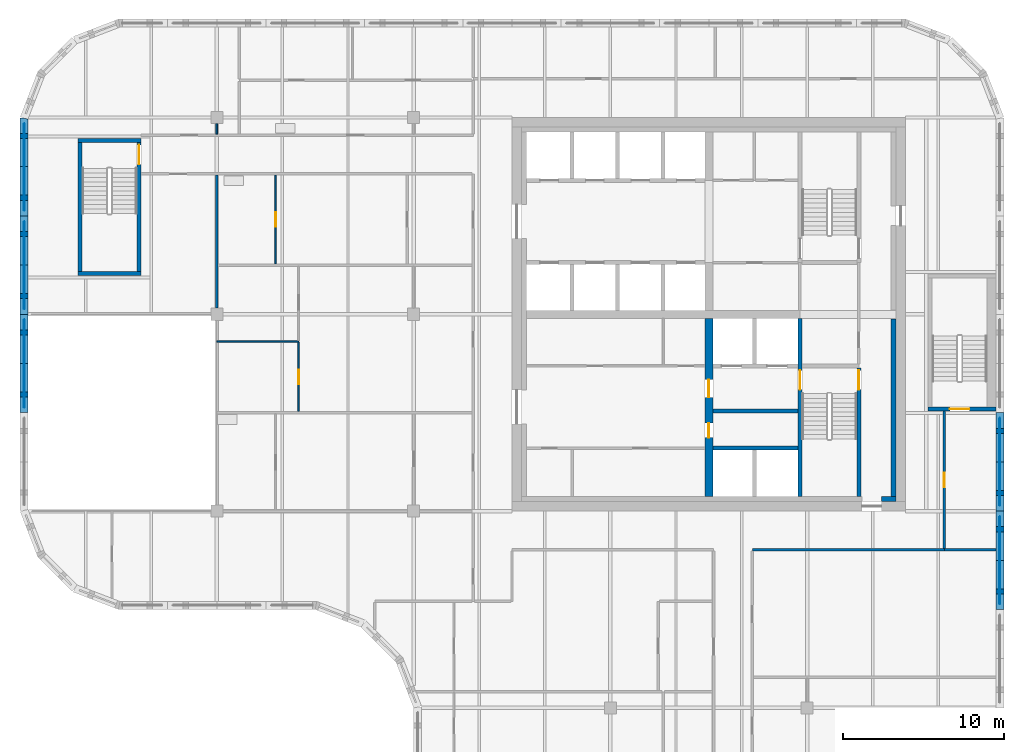
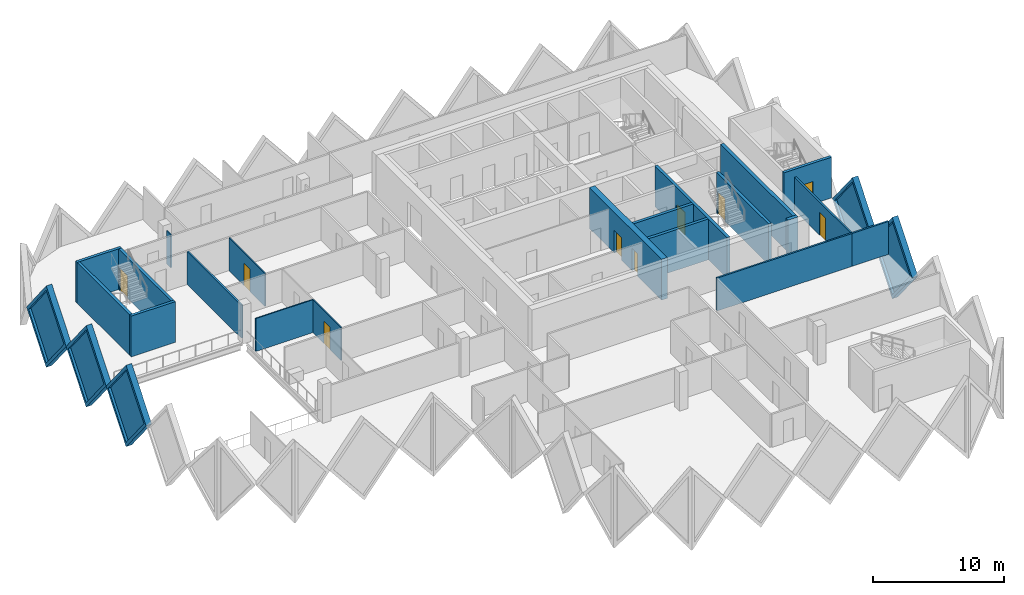
# One storey, part 6 of 12: 25 walls, 9 doors, 5 plates, 14 openings.
"""IFC4 building model written with IfcOpenShell, lengths in metres."""

from ifc_helpers import new_model, si_unit, direction, frame, frame_2d, origin, place, context, subcontext, project, spatial, polyline, rectangle, outline, extrude, faceted_brep, source, transform, mapped, material, layer, layer_set, type_object, element, fill, save


model = new_model("IFC4")

# Units and contexts
model_context = context("Model", 3, precision=1e-05, world=origin(), true_north=direction((0.0, 1.0)))
body_context = subcontext(model_context, "Body", "Model", "MODEL_VIEW")
ifc_project = project(units=[si_unit("LENGTHUNIT", "METRE"), si_unit("AREAUNIT", "SQUARE_METRE"), si_unit("VOLUMEUNIT", "CUBIC_METRE"), si_unit("PLANEANGLEUNIT", "RADIAN"), si_unit("MASSUNIT", "GRAM", prefix="KILO")], contexts=[model_context])

# Site, building, storey
site_placement = place(None, origin())
site = spatial("IfcSite", under=ifc_project, at=site_placement, CompositionType="ELEMENT")
building_placement = place(site_placement, origin())
building = spatial("IfcBuilding", under=site, at=building_placement, Name="Tessera Gate Towers", CompositionType="ELEMENT")
storey_placement = place(building_placement, frame((0.0, 0.0, 163.0)))
storey = spatial("IfcBuildingStorey", under=building, at=storey_placement, Name="L40", CompositionType="ELEMENT", Elevation=163.0)

# Wall, opening, door
ifc_material_1 = material(Name="Concrete C40/50", Category="concrete")
ifc_layer_1 = layer(ifc_material_1, 0.25)
ifc_layer_set_1 = layer_set([ifc_layer_1], Name="CORE ENCLOSURE WALL 250")
wall_type_1 = type_object("IfcWallType", Name="CORE ENCLOSURE WALL 250", PredefinedType="SOLIDWALL", material=ifc_layer_set_1)
wall_1_placement = place(storey_placement, frame((48.35009765625, 36.35009765625, 0.0), z_axis=(0.0, 0.0, 1.0), x_axis=(0.0, -1.0, 0.0)))
wall_1 = element("IfcWall", 1, at=wall_1_placement, inside=storey, type_object=wall_type_1, Name="L40 shaft and stair enclosure wall", PredefinedType="SOLIDWALL", context=body_context, shape_type="SweptSolid", body=[
    extrude(rectangle(XDim=11.050048828125, YDim=0.25, at=frame_2d((5.52490234375, 0.0))), origin(), (0.0, 0.0, 1.0), 3.800048828125),
])
shared_shape_1 = source(origin(), body_context, "Body", "SweptSolid", [
    extrude(rectangle(XDim=1.199951171875, YDim=2.10009765625, at=frame_2d((0.60009765625, 1.050048828125))), frame((0.0, 0.135009765625, 0.0), z_axis=(0.0, -1.0, 0.0), x_axis=(1.0, 0.0, 0.0)), (0.0, 0.0, 1.0), 0.27001953125),
])
opening_1_placement = place(wall_1_placement, frame((3.22509765625, 0.0, 0.0)))
opening_1 = element("IfcOpeningElement", 2, at=opening_1_placement, cuts=wall_1, Name="Opening SD-ST1-1", PredefinedType="OPENING", context=body_context, shape_type="MappedRepresentation", body=[
    mapped(shared_shape_1, transform((0.0, 0.0, 0.0), scale=1.0)),
])
ifc_material_2 = material(Name="Hollow steel fire door", Category="steel")
door_type_1 = type_object("IfcDoorType", Name="CORE DOOR SD 1200x2100", OperationType="NOTDEFINED", PredefinedType="DOOR", material=ifc_material_2)
shared_shape_2 = source(origin(), body_context, "Body", "SweptSolid", [
    extrude(rectangle(XDim=1.199951171875, YDim=2.10009765625, at=frame_2d((0.60009765625, 1.050048828125))), frame((0.0, 0.02490234375, 0.0), z_axis=(0.0, -1.0, 0.0), x_axis=(1.0, 0.0, 0.0)), (0.0, 0.0, 1.0), 0.050048828125),
])
door_1_placement = place(opening_1_placement, origin())
door_1 = element("IfcDoor", 3, at=door_1_placement, inside=storey, type_object=door_type_1, Name="Stair door", OperationType="SINGLE_SWING_LEFT", OverallHeight=2.10009765625, OverallWidth=1.199951171875, PredefinedType="DOOR", context=body_context, shape_type="MappedRepresentation", body=[
    mapped(shared_shape_2, transform((0.0, 0.0, 0.0), scale=1.0)),
])
fill(opening_1, door_1)

wall_2_placement = place(storey_placement, frame((52.0, 25.300048828125, 0.0), z_axis=(0.0, 0.0, 1.0), x_axis=(0.0, 1.0, 0.0)))
wall_2 = element("IfcWall", 4, at=wall_2_placement, inside=storey, type_object=wall_type_1, Name="L40 shaft and stair enclosure wall", PredefinedType="SOLIDWALL", context=body_context, shape_type="SweptSolid", body=[
    extrude(rectangle(XDim=7.974853515625, YDim=0.25, at=frame_2d((3.9873046875, 0.0))), origin(), (0.0, 0.0, 1.0), 3.800048828125),
])
opening_2_placement = place(wall_2_placement, frame((6.625, 0.0, 0.0)))
opening_2 = element("IfcOpeningElement", 5, at=opening_2_placement, cuts=wall_2, Name="Opening SD-ST1-2", PredefinedType="OPENING", context=body_context, shape_type="MappedRepresentation", body=[
    mapped(shared_shape_1, transform((0.0, 0.0, 0.0), scale=1.0)),
])
door_2_placement = place(opening_2_placement, origin())
door_2 = element("IfcDoor", 6, at=door_2_placement, inside=storey, type_object=door_type_1, Name="Stair door", OperationType="SINGLE_SWING_RIGHT", OverallHeight=2.10009765625, OverallWidth=1.199951171875, PredefinedType="DOOR", context=body_context, shape_type="MappedRepresentation", body=[
    mapped(shared_shape_2, transform((0.0, 0.0, 0.0), scale=1.0)),
])
fill(opening_2, door_2)

# Walls
for number, where, z_axis, x_axis, name in (
    (7, (42.949951171875, 28.300048828125, 0.0), (0.0, 0.0, 1.0), (1.0, 0.0, 0.0), "L40 shaft and stair enclosure wall"),
    (8, (42.949951171875, 30.60009765625, 0.0), (0.0, 0.0, 1.0), (1.0, 0.0, 0.0), "L40 shaft and stair enclosure wall"),
):
    element("IfcWall", number, at=place(storey_placement, frame(where, z_axis=z_axis, x_axis=x_axis)), inside=storey, type_object=wall_type_1, Name=name, PredefinedType="SOLIDWALL", context=body_context, shape_type="SweptSolid", body=[
        extrude(rectangle(XDim=5.275146484375, YDim=0.25, at=frame_2d((2.6376953125, 0.0))), origin(), (0.0, 0.0, 1.0), 3.800048828125),
    ])
wall_3_placement = place(storey_placement, frame((7.5, 39.125, 0.0), z_axis=(0.0, 0.0, 1.0), x_axis=(-1.0, 0.0, 0.0)))
element("IfcWall", 9, at=wall_3_placement, inside=storey, type_object=wall_type_1, Name="L40 ST3 enclosure wall", PredefinedType="SOLIDWALL", context=body_context, shape_type="SweptSolid", body=[
    extrude(rectangle(XDim=3.89990234375, YDim=0.25, at=frame_2d((1.949951171875, 0.0))), origin(), (0.0, 0.0, 1.0), 3.800048828125),
])
wall_4_placement = place(storey_placement, frame((3.72509765625, 39.25, 0.0), z_axis=(0.0, 0.0, 1.0), x_axis=(0.0, 1.0, 0.0)))
element("IfcWall", 10, at=wall_4_placement, inside=storey, type_object=wall_type_1, Name="L40 ST3 enclosure wall", PredefinedType="SOLIDWALL", context=body_context, shape_type="SweptSolid", body=[
    extrude(rectangle(XDim=8.0, YDim=0.25, at=frame_2d((4.0, 0.0))), origin(), (0.0, 0.0, 1.0), 3.800048828125),
])
wall_5_placement = place(storey_placement, frame((3.60009765625, 47.375, 0.0), z_axis=(0.0, 0.0, 1.0), x_axis=(1.0, 0.0, 0.0)))
element("IfcWall", 11, at=wall_5_placement, inside=storey, type_object=wall_type_1, Name="L40 ST3 enclosure wall", PredefinedType="SOLIDWALL", context=body_context, shape_type="SweptSolid", body=[
    extrude(rectangle(XDim=3.89990234375, YDim=0.25, at=frame_2d((1.949951171875, 0.0))), origin(), (0.0, 0.0, 1.0), 3.800048828125),
])

# Wall, opening, door
wall_6_placement = place(storey_placement, frame((7.375, 47.25, 0.0), z_axis=(0.0, 0.0, 1.0), x_axis=(0.0, -1.0, 0.0)))
wall_6 = element("IfcWall", 12, at=wall_6_placement, inside=storey, type_object=wall_type_1, Name="L40 ST3 enclosure wall", PredefinedType="SOLIDWALL", context=body_context, shape_type="SweptSolid", body=[
    extrude(rectangle(XDim=8.0, YDim=0.25, at=frame_2d((4.0, 0.0))), origin(), (0.0, 0.0, 1.0), 3.800048828125),
])
opening_3_placement = place(wall_6_placement, frame((0.14990234375, 0.0, 0.0)))
opening_3 = element("IfcOpeningElement", 13, at=opening_3_placement, cuts=wall_6, Name="Opening SD-ST3-1", PredefinedType="OPENING", context=body_context, shape_type="MappedRepresentation", body=[
    mapped(shared_shape_1, transform((0.0, 0.0, 0.0), scale=1.0)),
])
door_3_placement = place(opening_3_placement, origin())
door_3 = element("IfcDoor", 14, at=door_3_placement, inside=storey, type_object=door_type_1, Name="Stair door", OperationType="SINGLE_SWING_LEFT", OverallHeight=2.10009765625, OverallWidth=1.199951171875, PredefinedType="DOOR", context=body_context, shape_type="MappedRepresentation", body=[
    mapped(shared_shape_2, transform((0.0, 0.0, 0.0), scale=1.0)),
])
fill(opening_3, door_3)

wall_7_placement = place(storey_placement, frame((60.5, 30.72509765625, 0.0), z_axis=(0.0, 0.0, 1.0), x_axis=(-1.0, 0.0, 0.0)))
wall_7 = element("IfcWall", 15, at=wall_7_placement, inside=storey, type_object=wall_type_1, Name="L40 ST5 enclosure wall", PredefinedType="SOLIDWALL", context=body_context, shape_type="SweptSolid", body=[
    extrude(rectangle(XDim=4.199951171875, YDim=0.25, at=frame_2d((2.10009765625, 0.0))), origin(), (0.0, 0.0, 1.0), 3.800048828125),
])
opening_4_placement = place(wall_7_placement, frame((1.64990234375, 0.0, 0.0)))
opening_4 = element("IfcOpeningElement", 16, at=opening_4_placement, cuts=wall_7, Name="Opening SD-ST5-1", PredefinedType="OPENING", context=body_context, shape_type="MappedRepresentation", body=[
    mapped(shared_shape_1, transform((0.0, 0.0, 0.0), scale=1.0)),
])
door_4_placement = place(opening_4_placement, origin())
door_4 = element("IfcDoor", 17, at=door_4_placement, inside=storey, type_object=door_type_1, Name="Stair door", OperationType="SINGLE_SWING_RIGHT", OverallHeight=2.10009765625, OverallWidth=1.199951171875, PredefinedType="DOOR", context=body_context, shape_type="MappedRepresentation", body=[
    mapped(shared_shape_2, transform((0.0, 0.0, 0.0), scale=1.0)),
])
fill(opening_4, door_4)

# Wall, openings, doors
ifc_material_3 = material(Name="Concrete C50/60", Category="concrete")
ifc_layer_2 = layer(ifc_material_3, 0.5)
ifc_layer_set_2 = layer_set([ifc_layer_2], Name="CORE SPINE WALL 500 C50/60")
wall_type_2 = type_object("IfcWallType", Name="CORE SPINE WALL 500 C50/60", PredefinedType="SHEAR", material=ifc_layer_set_2)
wall_8_placement = place(storey_placement, frame((42.699951171875, 36.35009765625, 0.0), z_axis=(0.0, 0.0, 1.0), x_axis=(0.0, -1.0, 0.0)))
wall_8 = element("IfcWall", 18, at=wall_8_placement, inside=storey, type_object=wall_type_2, Name="Core wall spine L40", PredefinedType="SHEAR", context=body_context, shape_type="SweptSolid", body=[
    extrude(rectangle(XDim=11.050048828125, YDim=0.5, at=frame_2d((5.52490234375, 0.0))), origin(), (0.0, 0.0, 1.0), 3.800048828125),
])
shared_shape_3 = source(origin(), body_context, "Body", "SweptSolid", [
    extrude(rectangle(XDim=0.89990234375, YDim=2.10009765625, at=frame_2d((0.449951171875, 1.050048828125))), frame((0.0, 0.260009765625, 0.0), z_axis=(0.0, -1.0, 0.0), x_axis=(1.0, 0.0, 0.0)), (0.0, 0.0, 1.0), 0.52001953125),
])
opening_5_placement = place(wall_8_placement, frame((6.5, 0.0, 0.0)))
opening_5 = element("IfcOpeningElement", 19, at=opening_5_placement, cuts=wall_8, Name="Opening RD-T1-26-05", PredefinedType="OPENING", context=body_context, shape_type="MappedRepresentation", body=[
    mapped(shared_shape_3, transform((0.0, 0.0, 0.0), scale=1.0)),
])
shared_shape_4 = source(origin(), body_context, "Body", "SweptSolid", [
    extrude(rectangle(XDim=1.10009765625, YDim=2.10009765625, at=frame_2d((0.550048828125, 1.050048828125))), frame((0.0, 0.260009765625, 0.0), z_axis=(0.0, -1.0, 0.0), x_axis=(1.0, 0.0, 0.0)), (0.0, 0.0, 1.0), 0.52001953125),
])
opening_6_placement = place(wall_8_placement, frame((3.800048828125, 0.0, 0.0)))
opening_6 = element("IfcOpeningElement", 20, at=opening_6_placement, cuts=wall_8, Name="Opening FD-T1-26-06", PredefinedType="OPENING", context=body_context, shape_type="MappedRepresentation", body=[
    mapped(shared_shape_4, transform((0.0, 0.0, 0.0), scale=1.0)),
])
ifc_material_4 = material(Name="Hollow steel fire door", Category="steel")
door_type_2 = type_object("IfcDoorType", Name="CORE DOOR RD 900x2100", OperationType="NOTDEFINED", PredefinedType="DOOR", material=ifc_material_4)
shared_shape_5 = source(origin(), body_context, "Body", "SweptSolid", [
    extrude(rectangle(XDim=0.89990234375, YDim=2.10009765625, at=frame_2d((0.449951171875, 1.050048828125))), frame((0.0, 0.02490234375, 0.0), z_axis=(0.0, -1.0, 0.0), x_axis=(1.0, 0.0, 0.0)), (0.0, 0.0, 1.0), 0.050048828125),
])
door_5_placement = place(opening_5_placement, origin())
door_5 = element("IfcDoor", 21, at=door_5_placement, inside=storey, type_object=door_type_2, Name="Core room door", OperationType="SINGLE_SWING_RIGHT", OverallHeight=2.10009765625, OverallWidth=0.89990234375, PredefinedType="DOOR", context=body_context, shape_type="MappedRepresentation", body=[
    mapped(shared_shape_5, transform((0.0, 0.0, 0.0), scale=1.0)),
])
fill(opening_5, door_5)
ifc_material_5 = material(Name="Hollow steel fire door", Category="steel")
door_type_3 = type_object("IfcDoorType", Name="CORE DOOR FD 1100x2100", OperationType="NOTDEFINED", PredefinedType="DOOR", material=ifc_material_5)
shared_shape_6 = source(origin(), body_context, "Body", "SweptSolid", [
    extrude(rectangle(XDim=1.10009765625, YDim=2.10009765625, at=frame_2d((0.550048828125, 1.050048828125))), frame((0.0, 0.02490234375, 0.0), z_axis=(0.0, -1.0, 0.0), x_axis=(1.0, 0.0, 0.0)), (0.0, 0.0, 1.0), 0.050048828125),
])
door_6_placement = place(opening_6_placement, origin())
door_6 = element("IfcDoor", 22, at=door_6_placement, inside=storey, type_object=door_type_3, Name="Fire-fighting lobby door", OperationType="SINGLE_SWING_LEFT", OverallHeight=2.10009765625, OverallWidth=1.10009765625, PredefinedType="DOOR", context=body_context, shape_type="MappedRepresentation", body=[
    mapped(shared_shape_6, transform((0.0, 0.0, 0.0), scale=1.0)),
])
fill(opening_6, door_6)

# Walls
ifc_material_6 = material(Name="Concrete C50/60", Category="concrete")
ifc_layer_3 = layer(ifc_material_6, 0.300048828125)
ifc_layer_set_3 = layer_set([ifc_layer_3], Name="CORE WALL THICKENING 300")
wall_type_3 = type_object("IfcWallType", Name="CORE WALL THICKENING 300", PredefinedType="SOLIDWALL", material=ifc_layer_set_3)
wall_9_placement = place(storey_placement, frame((53.39990234375, 25.14990234375, 0.0), z_axis=(0.0, 0.0, 1.0), x_axis=(1.0, 0.0, 0.0)))
element("IfcWall", 23, at=wall_9_placement, inside=storey, type_object=wall_type_3, Name="Core wall thickening S L40", PredefinedType="SOLIDWALL", context=body_context, shape_type="SweptSolid", body=[
    extrude(rectangle(XDim=0.900146484375, YDim=0.300048828125, at=frame_2d((0.4501953125, 0.0))), origin(), (0.0, 0.0, 1.0), 3.800048828125),
])
wall_10_placement = place(storey_placement, frame((54.14990234375, 25.300048828125, 0.0), z_axis=(0.0, 0.0, 1.0), x_axis=(0.0, 1.0, 0.0)))
element("IfcWall", 24, at=wall_10_placement, inside=storey, type_object=wall_type_3, Name="Core wall thickening E L40", PredefinedType="SOLIDWALL", context=body_context, shape_type="SweptSolid", body=[
    extrude(rectangle(XDim=11.02001953125, YDim=0.300048828125, at=frame_2d((5.510009765625, 0.0))), origin(), (0.0, 0.0, 1.0), 3.800048828125),
])
ifc_material_7 = material(Name="Gypsum board on steel studs, mineral wool", Category="steel")
ifc_layer_4 = layer(ifc_material_7, 0.14990234375)
ifc_layer_set_4 = layer_set([ifc_layer_4], Name="CORRIDOR WALL 150")
wall_type_4 = type_object("IfcWallType", Name="CORRIDOR WALL 150", PredefinedType="PARTITIONING", material=ifc_layer_set_4)
wall_11_placement = place(storey_placement, frame((45.39990234375, 22.0, 0.0), z_axis=(0.0, 0.0, 1.0), x_axis=(1.0, 0.0, 0.0)))
element("IfcWall", 25, at=wall_11_placement, inside=storey, type_object=wall_type_4, Name="T1-L40-PW-023", PredefinedType="PARTITIONING", context=body_context, shape_type="SweptSolid", body=[
    extrude(rectangle(XDim=11.900146484375, YDim=0.14990234375, at=frame_2d((5.9501953125, 0.0))), origin(), (0.0, 0.0, 1.0), 3.06689453125),
])

# Wall, opening, door
wall_12_placement = place(storey_placement, frame((57.300048828125, 30.60009765625, 0.0), z_axis=(0.0, 0.0, 1.0), x_axis=(0.0, -1.0, 0.0)))
wall_12 = element("IfcWall", 26, at=wall_12_placement, inside=storey, type_object=wall_type_4, Name="T1-L40-PW-025", PredefinedType="PARTITIONING", context=body_context, shape_type="SweptSolid", body=[
    extrude(rectangle(XDim=8.524169921875, YDim=0.14990234375, at=frame_2d((4.26220703125, 0.0))), origin(), (0.0, 0.0, 1.0), 3.06689453125),
])
shared_shape_7 = source(origin(), body_context, "Body", "SweptSolid", [
    extrude(rectangle(XDim=0.89990234375, YDim=2.10009765625, at=frame_2d((0.449951171875, 1.050048828125))), frame((0.0, 0.0849609375, 0.0), z_axis=(0.0, -1.0, 0.0), x_axis=(1.0, 0.0, 0.0)), (0.0, 0.0, 1.0), 0.169921875),
])
opening_7_placement = place(wall_12_placement, frame((3.823974609375, 0.0, 0.0)))
opening_7 = element("IfcOpeningElement", 27, at=opening_7_placement, cuts=wall_12, Name="Opening D890FD60-A14-02", PredefinedType="OPENING", context=body_context, shape_type="MappedRepresentation", body=[
    mapped(shared_shape_7, transform((0.0, 0.0, 0.0), scale=1.0)),
])
ifc_material_8 = material(Name="Timber door leaf in steel frame", Category="steel")
door_type_4 = type_object("IfcDoorType", Name="CORRIDOR DOOR 900 FD60", OperationType="NOTDEFINED", PredefinedType="DOOR", material=ifc_material_8)
door_7_placement = place(opening_7_placement, origin())
door_7 = element("IfcDoor", 28, at=door_7_placement, inside=storey, type_object=door_type_4, Name="T1-L40-PD-021", OperationType="SINGLE_SWING_RIGHT", OverallHeight=2.10009765625, OverallWidth=0.89990234375, PredefinedType="DOOR", context=body_context, shape_type="MappedRepresentation", body=[
    mapped(shared_shape_5, transform((0.0, 0.0, 0.0), scale=1.0)),
])
fill(opening_7, door_7)

ifc_material_9 = material(Name="Gypsum board on steel studs", Category="steel")
ifc_layer_5 = layer(ifc_material_9, 0.10009765625)
ifc_layer_set_5 = layer_set([ifc_layer_5], Name="PARTITION 100")
wall_type_5 = type_object("IfcWallType", Name="PARTITION 100", PredefinedType="PARTITIONING", material=ifc_layer_set_5)
wall_13_placement = place(storey_placement, frame((17.27490234375, 30.575927734375, 0.0), z_axis=(0.0, 0.0, 1.0), x_axis=(0.0, 1.0, 0.0)))
wall_13 = element("IfcWall", 29, at=wall_13_placement, inside=storey, type_object=wall_type_5, Name="T1-L40-PW-031", PredefinedType="PARTITIONING", context=body_context, shape_type="SweptSolid", body=[
    extrude(rectangle(XDim=4.29345703125, YDim=0.10009765625, at=frame_2d((2.146728515625, 0.0))), origin(), (0.0, 0.0, 1.0), 3.06689453125),
])
shared_shape_8 = source(origin(), body_context, "Body", "SweptSolid", [
    extrude(rectangle(XDim=0.89990234375, YDim=2.10009765625, at=frame_2d((0.449951171875, 1.050048828125))), frame((0.0, 0.06005859375, 0.0), z_axis=(0.0, -1.0, 0.0), x_axis=(1.0, 0.0, 0.0)), (0.0, 0.0, 1.0), 0.1201171875),
])
opening_8_placement = place(wall_13_placement, frame((1.699951171875, 0.0, 0.0)))
opening_8 = element("IfcOpeningElement", 30, at=opening_8_placement, cuts=wall_13, Name="Opening D190-A14-02", PredefinedType="OPENING", context=body_context, shape_type="MappedRepresentation", body=[
    mapped(shared_shape_8, transform((0.0, 0.0, 0.0), scale=1.0)),
])
ifc_material_10 = material(Name="Timber door leaf in steel frame", Category="steel")
door_type_5 = type_object("IfcDoorType", Name="INTERNAL DOOR 900 NOT RATED", OperationType="NOTDEFINED", PredefinedType="DOOR", material=ifc_material_10)
door_8_placement = place(opening_8_placement, origin())
door_8 = element("IfcDoor", 31, at=door_8_placement, inside=storey, type_object=door_type_5, Name="T1-L40-PD-003", OperationType="SINGLE_SWING_LEFT", OverallHeight=2.10009765625, OverallWidth=0.89990234375, PredefinedType="DOOR", context=body_context, shape_type="MappedRepresentation", body=[
    mapped(shared_shape_5, transform((0.0, 0.0, 0.0), scale=1.0)),
])
fill(opening_8, door_8)

# Wall
wall_14_placement = place(storey_placement, frame((12.199951171875, 34.919921875, 0.0), z_axis=(0.0, 0.0, 1.0), x_axis=(1.0, 0.0, 0.0)))
element("IfcWall", 32, at=wall_14_placement, inside=storey, type_object=wall_type_5, Name="T1-L40-PW-032", PredefinedType="PARTITIONING", context=body_context, shape_type="SweptSolid", body=[
    extrude(rectangle(XDim=5.074951171875, YDim=0.10009765625, at=frame_2d((2.53759765625, 0.0))), origin(), (0.0, 0.0, 1.0), 3.06689453125),
])

# Wall, opening, door
wall_15_placement = place(storey_placement, frame((15.85009765625, 39.72607421875, 0.0), z_axis=(0.0, 0.0, 1.0), x_axis=(0.0, 1.0, 0.0)))
wall_15 = element("IfcWall", 33, at=wall_15_placement, inside=storey, type_object=wall_type_5, Name="T1-L40-PW-037", PredefinedType="PARTITIONING", context=body_context, shape_type="SweptSolid", body=[
    extrude(rectangle(XDim=5.498046875, YDim=0.10009765625, at=frame_2d((2.7490234375, 0.0))), origin(), (0.0, 0.0, 1.0), 3.06689453125),
])
opening_9_placement = place(wall_15_placement, frame((2.300048828125, 0.0, 0.0)))
opening_9 = element("IfcOpeningElement", 34, at=opening_9_placement, cuts=wall_15, Name="Opening D190-A14-06", PredefinedType="OPENING", context=body_context, shape_type="MappedRepresentation", body=[
    mapped(shared_shape_8, transform((0.0, 0.0, 0.0), scale=1.0)),
])
door_9_placement = place(opening_9_placement, origin())
door_9 = element("IfcDoor", 35, at=door_9_placement, inside=storey, type_object=door_type_5, Name="T1-L40-PD-009", OperationType="SINGLE_SWING_LEFT", OverallHeight=2.10009765625, OverallWidth=0.89990234375, PredefinedType="DOOR", context=body_context, shape_type="MappedRepresentation", body=[
    mapped(shared_shape_5, transform((0.0, 0.0, 0.0), scale=1.0)),
])
fill(opening_9, door_9)

# Walls
wall_16_placement = place(storey_placement, frame((12.199951171875, 48.425048828125, 0.0), z_axis=(0.0, 0.0, 1.0), x_axis=(0.0, -1.0, 0.0)))
element("IfcWall", 36, at=wall_16_placement, inside=storey, type_object=wall_type_5, Name="T1-L40-PW-043", PredefinedType="PARTITIONING", context=body_context, shape_type="SweptSolid", body=[
    extrude(rectangle(XDim=0.650146484375, YDim=0.10009765625, at=frame_2d((0.3251953125, 0.0))), origin(), (0.0, 0.0, 1.0), 3.06689453125),
])
ifc_material_11 = material(Name="Gypsum board on steel studs, mineral wool", Category="steel")
ifc_layer_6 = layer(ifc_material_11, 0.14990234375)
ifc_layer_set_6 = layer_set([ifc_layer_6], Name="TENANCY WALL 150")
wall_type_6 = type_object("IfcWallType", Name="TENANCY WALL 150", PredefinedType="PARTITIONING", material=ifc_layer_set_6)
wall_17_placement = place(storey_placement, frame((57.301025390625, 22.0, 0.0), z_axis=(0.0, 0.0, 1.0), x_axis=(1.0, 0.0, 0.0)))
element("IfcWall", 37, at=wall_17_placement, inside=storey, type_object=wall_type_6, Name="T1-L40-PW-024", PredefinedType="PARTITIONING", context=body_context, shape_type="SweptSolid", body=[
    extrude(rectangle(XDim=3.198974609375, YDim=0.14990234375, at=frame_2d((1.599609375, 0.0))), origin(), (0.0, 0.0, 1.0), 3.06689453125),
])
wall_18_placement = place(storey_placement, frame((12.199951171875, 36.97607421875, 0.0), z_axis=(0.0, 0.0, 1.0), x_axis=(0.0, 1.0, 0.0)))
element("IfcWall", 38, at=wall_18_placement, inside=storey, type_object=wall_type_6, Name="T1-L40-PW-034", PredefinedType="PARTITIONING", context=body_context, shape_type="SweptSolid", body=[
    extrude(rectangle(XDim=8.248046875, YDim=0.14990234375, at=frame_2d((4.1240234375, 0.0))), origin(), (0.0, 0.0, 1.0), 3.06689453125),
])

# Wall, opening, plate
ifc_material_12 = material(Name="Precast concrete C60/75 white", Category="concrete")
ifc_layer_7 = layer(ifc_material_12, 0.5)
ifc_layer_set_7 = layer_set([ifc_layer_7], Name="TS1 tessera")
wall_type_7 = type_object("IfcWallType", Name="TS1 tessera", PredefinedType="SOLIDWALL", material=ifc_layer_set_7)
shared_shape_9 = source(origin(), body_context, "Body", "Brep", [
    faceted_brep([(3.00341796875, -0.25, 0.0), (6.053466796875, -0.25, 3.800048828125), (3.00341796875, -0.25, 7.60009765625), (0.0, -0.25, 3.800048828125), (0.046630859375, 0.25, 3.85888671875), (3.00341796875, 0.25, 7.60009765625), (6.053466796875, 0.25, 3.800048828125), (3.00341796875, 0.25, 0.0), (0.046630859375, 0.25, 3.7412109375), (0.0, 0.0, 3.800048828125)], [[[0, 1, 2, 3]], [[4, 5, 6, 7, 8]], [[7, 6, 1, 0]], [[6, 5, 2, 1]], [[5, 4, 9, 3, 2]], [[8, 7, 0, 3, 9]], [[8, 9, 4]]]),
])
wall_19_placement = place(storey_placement, frame((0.25, 48.75341796875, -3.800048828125), z_axis=(0.0, 0.0, 1.0), x_axis=(0.0, -1.0, 0.0)))
wall_19 = element("IfcWall", 39, at=wall_19_placement, inside=storey, type_object=wall_type_7, Name="Precast tessera T1 TS1-0684", PredefinedType="SOLIDWALL", context=body_context, shape_type="MappedRepresentation", body=[
    mapped(shared_shape_9, transform((0.0, 0.0, 0.0), scale=1.0)),
])
shared_shape_10 = source(origin(), body_context, "Body", "SweptSolid", [
    extrude(outline(polyline([(3.0048828125, 0.4013671875), (5.73291015625, 3.800048828125), (3.0048828125, 7.19873046875), (0.318603515625, 3.800048828125), (3.0048828125, 0.4013671875)])), frame((0.0, 0.260009765625, 0.0), z_axis=(0.0, -1.0, 0.0), x_axis=(1.0, 0.0, 0.0)), (0.0, 0.0, 1.0), 0.52001953125),
])
opening_10_placement = place(wall_19_placement, origin())
opening_10 = element("IfcOpeningElement", 40, at=opening_10_placement, cuts=wall_19, Name="Opening T1-PL2-1394", PredefinedType="OPENING", context=body_context, shape_type="MappedRepresentation", body=[
    mapped(shared_shape_10, transform((0.0, 0.0, 0.0), scale=1.0)),
])
ifc_material_13 = material(Name="Low-e laminated glass", Category="glass")
ifc_layer_8 = layer(ifc_material_13, 0.06005859375)
ifc_layer_set_8 = layer_set([ifc_layer_8], Name="PL2 rhombic pane")
plate_type = type_object("IfcPlateType", Name="PL2 rhombic pane", PredefinedType="SHEET", material=ifc_layer_set_8)
shared_shape_11 = source(origin(), body_context, "Body", "SweptSolid", [
    extrude(outline(polyline([(3.0048828125, 0.4013671875), (5.73291015625, 3.800048828125), (3.0048828125, 7.19873046875), (0.318603515625, 3.800048828125), (3.0048828125, 0.4013671875)])), frame((0.0, 0.030029296875, 0.0), z_axis=(0.0, -1.0, 0.0), x_axis=(1.0, 0.0, 0.0)), (0.0, 0.0, 1.0), 0.06005859375),
])
plate_1_placement = place(opening_10_placement, origin())
plate_1 = element("IfcPlate", 41, at=plate_1_placement, inside=storey, type_object=plate_type, Name="Glass pane T1 PL2-1394", PredefinedType="SHEET", context=body_context, shape_type="MappedRepresentation", body=[
    mapped(shared_shape_11, transform((0.0, 0.0, 0.0), scale=1.0)),
])
fill(opening_10, plate_1)

shared_shape_12 = source(origin(), body_context, "Body", "Brep", [
    faceted_brep([(3.050048828125, -0.25, 0.0), (6.099853515625, -0.25, 3.7998046875), (6.099853515625, -0.25, 3.80029296875), (3.050048828125, -0.25, 7.60009765625), (0.0, -0.25, 3.800048828125), (0.0, 0.25, 3.800048828125), (3.050048828125, 0.25, 7.60009765625), (6.099853515625, 0.25, 3.80029296875), (6.099853515625, 0.25, 3.7998046875), (3.050048828125, 0.25, 0.0)], [[[0, 1, 2, 3, 4]], [[5, 6, 7, 8, 9]], [[9, 8, 1, 0]], [[7, 6, 3, 2]], [[6, 5, 4, 3]], [[5, 9, 0, 4]], [[1, 8, 7, 2]]]),
])
wall_20_placement = place(storey_placement, frame((60.75, 18.300048828125, -3.800048828125), z_axis=(0.0, 0.0, 1.0), x_axis=(0.0, 1.0, 0.0)))
wall_20 = element("IfcWall", 42, at=wall_20_placement, inside=storey, type_object=wall_type_7, Name="Precast tessera T1 TS1-0672", PredefinedType="SOLIDWALL", context=body_context, shape_type="MappedRepresentation", body=[
    mapped(shared_shape_12, transform((0.0, 0.0, 0.0), scale=1.0)),
])
shared_shape_13 = source(origin(), body_context, "Body", "SweptSolid", [
    extrude(outline(polyline([(3.050048828125, 0.3994140625), (5.779541015625, 3.800048828125), (3.050048828125, 7.20068359375), (0.320556640625, 3.800048828125), (3.050048828125, 0.3994140625)])), frame((0.0, 0.260009765625, 0.0), z_axis=(0.0, -1.0, 0.0), x_axis=(1.0, 0.0, 0.0)), (0.0, 0.0, 1.0), 0.52001953125),
])
opening_11_placement = place(wall_20_placement, origin())
opening_11 = element("IfcOpeningElement", 43, at=opening_11_placement, cuts=wall_20, Name="Opening T1-PL2-1374", PredefinedType="OPENING", context=body_context, shape_type="MappedRepresentation", body=[
    mapped(shared_shape_13, transform((0.0, 0.0, 0.0), scale=1.0)),
])
shared_shape_14 = source(origin(), body_context, "Body", "SweptSolid", [
    extrude(outline(polyline([(3.050048828125, 0.3994140625), (5.779541015625, 3.800048828125), (3.050048828125, 7.20068359375), (0.320556640625, 3.800048828125), (3.050048828125, 0.3994140625)])), frame((0.0, 0.030029296875, 0.0), z_axis=(0.0, -1.0, 0.0), x_axis=(1.0, 0.0, 0.0)), (0.0, 0.0, 1.0), 0.06005859375),
])
plate_2_placement = place(opening_11_placement, origin())
plate_2 = element("IfcPlate", 44, at=plate_2_placement, inside=storey, type_object=plate_type, Name="Glass pane T1 PL2-1374", PredefinedType="SHEET", context=body_context, shape_type="MappedRepresentation", body=[
    mapped(shared_shape_14, transform((0.0, 0.0, 0.0), scale=1.0)),
])
fill(opening_11, plate_2)

wall_21_placement = place(storey_placement, frame((0.25, 42.699951171875, -3.800048828125), z_axis=(0.0, 0.0, 1.0), x_axis=(0.0, -1.0, 0.0)))
wall_21 = element("IfcWall", 45, at=wall_21_placement, inside=storey, type_object=wall_type_7, Name="Precast tessera T1 TS1-0685", PredefinedType="SOLIDWALL", context=body_context, shape_type="MappedRepresentation", body=[
    mapped(shared_shape_12, transform((0.0, 0.0, 0.0), scale=1.0)),
])
opening_12_placement = place(wall_21_placement, origin())
opening_12 = element("IfcOpeningElement", 46, at=opening_12_placement, cuts=wall_21, Name="Opening T1-PL2-1395", PredefinedType="OPENING", context=body_context, shape_type="MappedRepresentation", body=[
    mapped(shared_shape_13, transform((0.0, 0.0, 0.0), scale=1.0)),
])
plate_3_placement = place(opening_12_placement, origin())
plate_3 = element("IfcPlate", 47, at=plate_3_placement, inside=storey, type_object=plate_type, Name="Glass pane T1 PL2-1395", PredefinedType="SHEET", context=body_context, shape_type="MappedRepresentation", body=[
    mapped(shared_shape_14, transform((0.0, 0.0, 0.0), scale=1.0)),
])
fill(opening_12, plate_3)

shared_shape_15 = source(origin(), body_context, "Body", "SweptSolid", [
    extrude(outline(polyline([(3.050048828125, 0.0), (6.10009765625, 3.800048828125), (3.050048828125, 7.60009765625), (0.0, 3.800048828125), (3.050048828125, 0.0)])), frame((0.0, 0.25, 0.0), z_axis=(0.0, -1.0, 0.0), x_axis=(1.0, 0.0, 0.0)), (0.0, 0.0, 1.0), 0.5),
])
wall_22_placement = place(storey_placement, frame((60.75, 24.39990234375, -3.800048828125), z_axis=(0.0, 0.0, 1.0), x_axis=(0.0, 1.0, 0.0)))
wall_22 = element("IfcWall", 48, at=wall_22_placement, inside=storey, type_object=wall_type_7, Name="Precast tessera T1 TS1-0673", PredefinedType="SOLIDWALL", context=body_context, shape_type="MappedRepresentation", body=[
    mapped(shared_shape_15, transform((0.0, 0.0, 0.0), scale=1.0)),
])
opening_13_placement = place(wall_22_placement, origin())
opening_13 = element("IfcOpeningElement", 49, at=opening_13_placement, cuts=wall_22, Name="Opening T1-PL2-1375", PredefinedType="OPENING", context=body_context, shape_type="MappedRepresentation", body=[
    mapped(shared_shape_13, transform((0.0, 0.0, 0.0), scale=1.0)),
])
plate_4_placement = place(opening_13_placement, origin())
plate_4 = element("IfcPlate", 50, at=plate_4_placement, inside=storey, type_object=plate_type, Name="Glass pane T1 PL2-1375", PredefinedType="SHEET", context=body_context, shape_type="MappedRepresentation", body=[
    mapped(shared_shape_14, transform((0.0, 0.0, 0.0), scale=1.0)),
])
fill(opening_13, plate_4)

wall_23_placement = place(storey_placement, frame((0.25, 36.60009765625, -3.800048828125), z_axis=(0.0, 0.0, 1.0), x_axis=(0.0, -1.0, 0.0)))
wall_23 = element("IfcWall", 51, at=wall_23_placement, inside=storey, type_object=wall_type_7, Name="Precast tessera T1 TS1-0686", PredefinedType="SOLIDWALL", context=body_context, shape_type="MappedRepresentation", body=[
    mapped(shared_shape_15, transform((0.0, 0.0, 0.0), scale=1.0)),
])
opening_14_placement = place(wall_23_placement, origin())
opening_14 = element("IfcOpeningElement", 52, at=opening_14_placement, cuts=wall_23, Name="Opening T1-PL2-1396", PredefinedType="OPENING", context=body_context, shape_type="MappedRepresentation", body=[
    mapped(shared_shape_13, transform((0.0, 0.0, 0.0), scale=1.0)),
])
plate_5_placement = place(opening_14_placement, origin())
plate_5 = element("IfcPlate", 53, at=plate_5_placement, inside=storey, type_object=plate_type, Name="Glass pane T1 PL2-1396", PredefinedType="SHEET", context=body_context, shape_type="MappedRepresentation", body=[
    mapped(shared_shape_14, transform((0.0, 0.0, 0.0), scale=1.0)),
])
fill(opening_14, plate_5)

save(model, "model.ifc")
